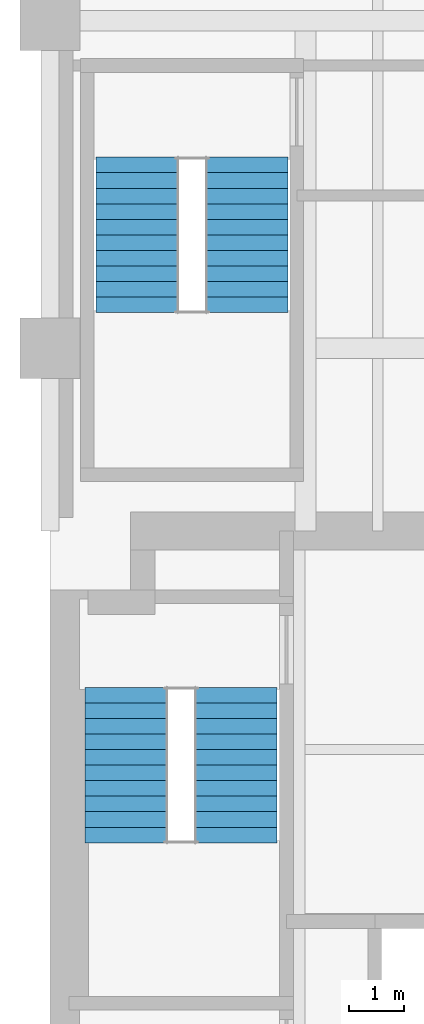
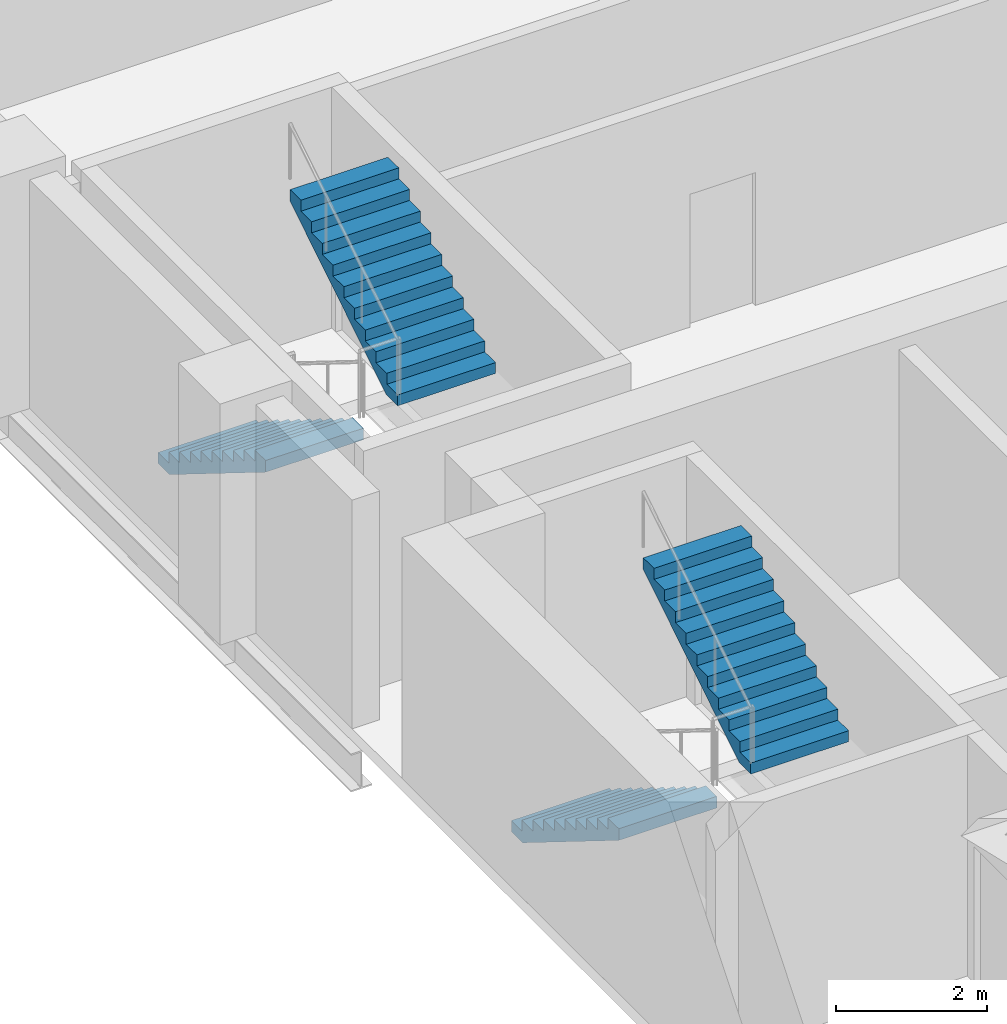
# One storey, part 6 of 7: 4 stair flights, 2 elements without a shape of their own.
"""IFC4 building model written with IfcOpenShell, lengths in metres."""

from ifc_helpers import new_model, si_unit, direction, frame, origin, place, context, subcontext, project, spatial, polyline, outline, extrude, material, type_object, element, aggregate, save


model = new_model("IFC4")

# Units and contexts
model_context = context("Model", 3, precision=1e-05, world=origin(), true_north=direction((0.0, 1.0)))
body_context = subcontext(model_context, "Body", "Model", "MODEL_VIEW")
ifc_project = project(units=[si_unit("LENGTHUNIT", "METRE"), si_unit("AREAUNIT", "SQUARE_METRE"), si_unit("VOLUMEUNIT", "CUBIC_METRE"), si_unit("PLANEANGLEUNIT", "RADIAN"), si_unit("MASSUNIT", "GRAM", prefix="KILO")], contexts=[model_context])

# Site, building, storey
site_placement = place(None, origin())
site = spatial("IfcSite", under=ifc_project, at=site_placement, CompositionType="ELEMENT")
building_placement = place(site_placement, origin())
building = spatial("IfcBuilding", under=site, at=building_placement, Name="Mawjdan Bourse Tower", CompositionType="ELEMENT")
storey_placement = place(building_placement, frame((0.0, 0.0, 108.89990234375)))
storey = spatial("IfcBuildingStorey", under=building, at=storey_placement, Name="L25", CompositionType="ELEMENT", Elevation=108.89990234375)

# Stair, stair flights
ifc_material = material(Name="Concrete C50/60", Category="concrete")
stair_type = type_object("IfcStairType", Name="STR-CORE-1500", PredefinedType="HALF_TURN_STAIR", material=ifc_material)
stair_1_placement = place(storey_placement, origin())
stair_1 = element("IfcStair", 1, at=stair_1_placement, inside=storey, type_object=stair_type, Name="L25 Exit Stair 2 (Core North-West)", PredefinedType="HALF_TURN_STAIR")
stair_flight_type = type_object("IfcStairFlightType", Name="SFL-RC-1500", PredefinedType="STRAIGHT", material=ifc_material)
stair_flight_1_placement = place(storey_placement, frame((7.389892578125, 17.7900390625, 0.0), z_axis=(0.0, 0.0, 1.0), x_axis=(0.0, -1.0, 0.0)))
stair_flight_1 = element("IfcStairFlight", 2, at=stair_flight_1_placement, type_object=stair_flight_type, Name="ST2-L25 flight 1", NumberOfRisers=11, NumberOfTreads=10, PredefinedType="STRAIGHT", RiserHeight=0.177273, TreadLength=0.285, context=body_context, shape_type="SweptSolid", body=[
    extrude(outline(polyline([(0.0, 0.0), (0.0, 0.17724609375), (0.284912109375, 0.17724609375), (0.284912109375, 0.3544921875), (0.570068359375, 0.3544921875), (0.570068359375, 0.53173828125), (0.85498046875, 0.53173828125), (0.85498046875, 0.708984375), (1.139892578125, 0.708984375), (1.139892578125, 0.886474609375), (1.425048828125, 0.886474609375), (1.425048828125, 1.063720703125), (1.7099609375, 1.063720703125), (1.7099609375, 1.240966796875), (1.9951171875, 1.240966796875), (1.9951171875, 1.418212890625), (2.280029296875, 1.418212890625), (2.280029296875, 1.595458984375), (2.56494140625, 1.595458984375), (2.56494140625, 1.772705078125), (2.85009765625, 1.772705078125), (2.85009765625, 1.949951171875), (2.85009765625, 1.58447265625), (0.302734375, 0.0), (0.0, 0.0)])), frame((0.0, 0.75, 0.0), z_axis=(0.0, -1.0, 0.0), x_axis=(1.0, 0.0, 0.0)), (0.0, 0.0, 1.0), 1.5),
])
stair_flight_2_placement = place(storey_placement, frame((9.409912109375, 14.93994140625, 1.9501953125), z_axis=(0.0, 0.0, 1.0), x_axis=(0.0, 1.0, 0.0)))
stair_flight_2 = element("IfcStairFlight", 3, at=stair_flight_2_placement, type_object=stair_flight_type, Name="ST2-L25 flight 2", NumberOfRisers=11, NumberOfTreads=10, PredefinedType="STRAIGHT", RiserHeight=0.177273, TreadLength=0.285, context=body_context, shape_type="SweptSolid", body=[
    extrude(outline(polyline([(0.0, 0.0), (0.0, 0.17724609375), (0.284912109375, 0.17724609375), (0.284912109375, 0.3544921875), (0.570068359375, 0.3544921875), (0.570068359375, 0.53173828125), (0.85498046875, 0.53173828125), (0.85498046875, 0.708984375), (1.139892578125, 0.708984375), (1.139892578125, 0.886474609375), (1.425048828125, 0.886474609375), (1.425048828125, 1.063720703125), (1.7099609375, 1.063720703125), (1.7099609375, 1.240966796875), (1.9951171875, 1.240966796875), (1.9951171875, 1.418212890625), (2.280029296875, 1.418212890625), (2.280029296875, 1.595458984375), (2.56494140625, 1.595458984375), (2.56494140625, 1.772705078125), (2.85009765625, 1.772705078125), (2.85009765625, 1.949951171875), (2.85009765625, 1.58447265625), (0.302734375, 0.0), (0.0, 0.0)])), frame((0.0, 0.75, 0.0), z_axis=(0.0, -1.0, 0.0), x_axis=(1.0, 0.0, 0.0)), (0.0, 0.0, 1.0), 1.5),
])
aggregate(stair_1, [stair_flight_1, stair_flight_2])

stair_2_placement = place(storey_placement, origin())
stair_2 = element("IfcStair", 4, at=stair_2_placement, inside=storey, type_object=stair_type, Name="L25 Exit Stair 3 (North Wing)", PredefinedType="HALF_TURN_STAIR")
stair_flight_3_placement = place(storey_placement, frame((7.590087890625, 27.5, 0.0), z_axis=(0.0, 0.0, 1.0), x_axis=(0.0, -1.0, 0.0)))
stair_flight_3 = element("IfcStairFlight", 5, at=stair_flight_3_placement, type_object=stair_flight_type, Name="ST3-L25 flight 1", NumberOfRisers=11, NumberOfTreads=10, PredefinedType="STRAIGHT", RiserHeight=0.177273, TreadLength=0.285, context=body_context, shape_type="SweptSolid", body=[
    extrude(outline(polyline([(0.0, 0.0), (0.0, 0.17724609375), (0.284912109375, 0.17724609375), (0.284912109375, 0.3544921875), (0.570068359375, 0.3544921875), (0.570068359375, 0.53173828125), (0.85498046875, 0.53173828125), (0.85498046875, 0.708984375), (1.139892578125, 0.708984375), (1.139892578125, 0.886474609375), (1.425048828125, 0.886474609375), (1.425048828125, 1.063720703125), (1.7099609375, 1.063720703125), (1.7099609375, 1.240966796875), (1.9951171875, 1.240966796875), (1.9951171875, 1.418212890625), (2.280029296875, 1.418212890625), (2.280029296875, 1.595458984375), (2.56494140625, 1.595458984375), (2.56494140625, 1.772705078125), (2.85009765625, 1.772705078125), (2.85009765625, 1.949951171875), (2.85009765625, 1.58447265625), (0.302734375, 0.0), (0.0, 0.0)])), frame((0.0, 0.75, 0.0), z_axis=(0.0, -1.0, 0.0), x_axis=(1.0, 0.0, 0.0)), (0.0, 0.0, 1.0), 1.5),
])
stair_flight_4_placement = place(storey_placement, frame((9.610107421875, 24.64990234375, 1.9501953125), z_axis=(0.0, 0.0, 1.0), x_axis=(0.0, 1.0, 0.0)))
stair_flight_4 = element("IfcStairFlight", 6, at=stair_flight_4_placement, type_object=stair_flight_type, Name="ST3-L25 flight 2", NumberOfRisers=11, NumberOfTreads=10, PredefinedType="STRAIGHT", RiserHeight=0.177273, TreadLength=0.285, context=body_context, shape_type="SweptSolid", body=[
    extrude(outline(polyline([(0.0, 0.0), (0.0, 0.17724609375), (0.284912109375, 0.17724609375), (0.284912109375, 0.3544921875), (0.570068359375, 0.3544921875), (0.570068359375, 0.53173828125), (0.85498046875, 0.53173828125), (0.85498046875, 0.708984375), (1.139892578125, 0.708984375), (1.139892578125, 0.886474609375), (1.425048828125, 0.886474609375), (1.425048828125, 1.063720703125), (1.7099609375, 1.063720703125), (1.7099609375, 1.240966796875), (1.9951171875, 1.240966796875), (1.9951171875, 1.418212890625), (2.280029296875, 1.418212890625), (2.280029296875, 1.595458984375), (2.56494140625, 1.595458984375), (2.56494140625, 1.772705078125), (2.85009765625, 1.772705078125), (2.85009765625, 1.949951171875), (2.85009765625, 1.58447265625), (0.302734375, 0.0), (0.0, 0.0)])), frame((0.0, 0.75, 0.0), z_axis=(0.0, -1.0, 0.0), x_axis=(1.0, 0.0, 0.0)), (0.0, 0.0, 1.0), 1.5),
])
aggregate(stair_2, [stair_flight_3, stair_flight_4])

save(model, "model.ifc")
